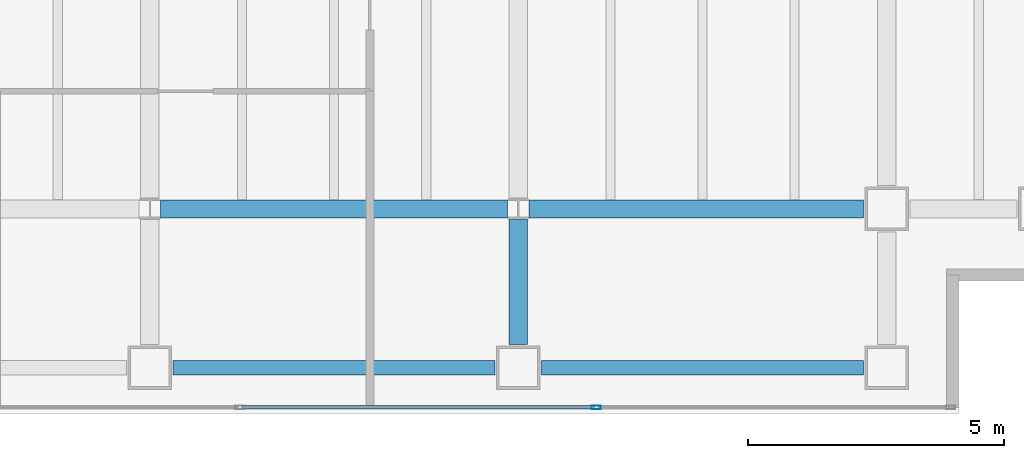
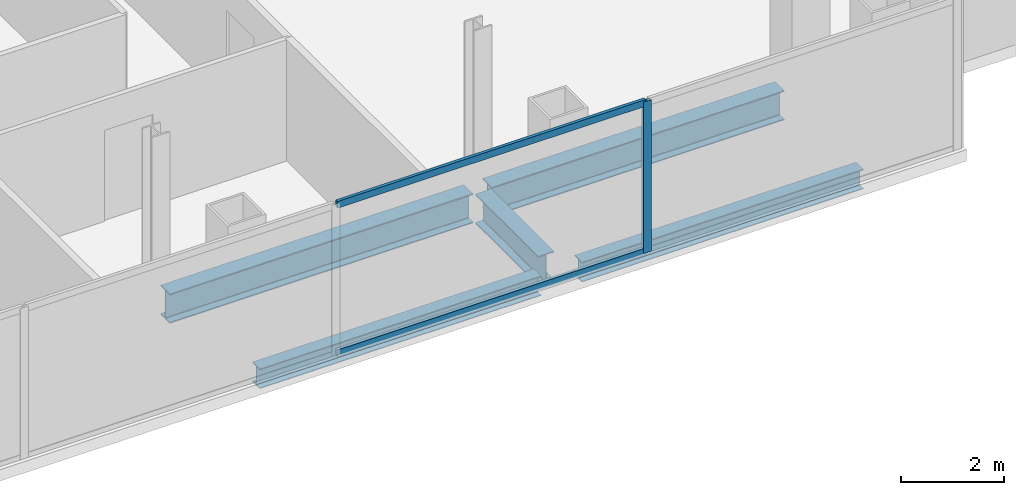
# One storey, part 9 of 23: 5 beams, 3 members, 1 element without a shape of its own.
"""IFC4 building model written with IfcOpenShell, lengths in metres."""

from ifc_helpers import new_model, si_unit, direction, frame, origin, origin_2d, place, context, subcontext, project, spatial, hollow_rectangle, i_section, extrude, material, material_profile, profile_set, type_object, element, aggregate, save


model = new_model("IFC4")

# Units and contexts
model_context = context("Model", 3, precision=1e-05, world=origin(), true_north=direction((0.0, 1.0)))
body_context = subcontext(model_context, "Body", "Model", "MODEL_VIEW")
ifc_project = project(units=[si_unit("LENGTHUNIT", "METRE"), si_unit("AREAUNIT", "SQUARE_METRE"), si_unit("VOLUMEUNIT", "CUBIC_METRE"), si_unit("PLANEANGLEUNIT", "RADIAN"), si_unit("MASSUNIT", "GRAM", prefix="KILO")], contexts=[model_context])

# Site, building, storey
site_placement = place(None, origin())
site = spatial("IfcSite", under=ifc_project, at=site_placement, CompositionType="ELEMENT")
building_placement = place(site_placement, origin())
building = spatial("IfcBuilding", under=site, at=building_placement, Name="Cobrela Telecom Tower", CompositionType="ELEMENT")
storey_placement = place(building_placement, frame((0.0, 0.0, 148.39990234375)))
storey = spatial("IfcBuildingStorey", under=building, at=storey_placement, Name="L37", CompositionType="ELEMENT", Elevation=148.39990234375)

# Beams
ifc_material_1 = material(Name="Steel ASTM A992 Grade 50", Category="steel")
ifc_material_profile_1 = material_profile(ifc_material_1, i_section(OverallWidth=0.35595703125, OverallDepth=0.696044921875, WebThickness=0.015380859375, FlangeThickness=0.024658203125, FilletRadius=0.01806640625, at=origin_2d()), Name="W27X146")
ifc_profile_set_1 = profile_set([ifc_material_profile_1], Name="Steel ASTM A992 Grade 50")
beam_type_1 = type_object("IfcBeamType", Name="BM-GIRD-05", PredefinedType="USERDEFINED", material=ifc_profile_set_1)
beam_1_placement = place(storey_placement, frame((29.009521484375, 7.199951171875, -0.617919921875), z_axis=(1.0, 0.0, 0.0), x_axis=(0.0, 1.0, 0.0)))
element("IfcBeam", 1, at=beam_1_placement, inside=storey, type_object=beam_type_1, Name="L37 Primary Girder X10", ObjectType="GIRDER", PredefinedType="USERDEFINED", context=body_context, shape_type="SweptSolid", body=[
    extrude(i_section(OverallWidth=0.35595703125, OverallDepth=0.696044921875, WebThickness=0.015380859375, FlangeThickness=0.024658203125, FilletRadius=0.01806640625, at=origin_2d()), origin(), (0.0, 0.0, 1.0), 6.781005859375),
])
beam_2_placement = place(storey_placement, frame((36.20947265625, 7.199951171875, -0.617919921875), z_axis=(1.0, 0.0, 0.0), x_axis=(0.0, 1.0, 0.0)))
element("IfcBeam", 2, at=beam_2_placement, inside=storey, type_object=beam_type_1, Name="L37 Primary Girder X11", ObjectType="GIRDER", PredefinedType="USERDEFINED", context=body_context, shape_type="SweptSolid", body=[
    extrude(i_section(OverallWidth=0.35595703125, OverallDepth=0.696044921875, WebThickness=0.015380859375, FlangeThickness=0.024658203125, FilletRadius=0.01806640625, at=origin_2d()), origin(), (0.0, 0.0, 1.0), 6.53564453125),
])
beam_3_placement = place(storey_placement, frame((36.0, 4.554931640625, -0.617919921875), z_axis=(0.0, 1.0, 0.0), x_axis=(-1.0, 0.0, 0.0)))
element("IfcBeam", 3, at=beam_3_placement, inside=storey, type_object=beam_type_1, Name="L37 Primary Girder Y49", ObjectType="GIRDER", PredefinedType="USERDEFINED", context=body_context, shape_type="SweptSolid", body=[
    extrude(i_section(OverallWidth=0.35595703125, OverallDepth=0.696044921875, WebThickness=0.015380859375, FlangeThickness=0.024658203125, FilletRadius=0.01806640625, at=origin_2d()), origin(), (0.0, 0.0, 1.0), 2.435546875),
])
ifc_material_profile_2 = material_profile(ifc_material_1, i_section(OverallWidth=0.281982421875, OverallDepth=0.467041015625, WebThickness=0.01220703125, FlangeThickness=0.01953125, FilletRadius=0.012939453125, at=origin_2d()), Name="W18X86")
ifc_profile_set_2 = profile_set([ifc_material_profile_2], Name="Steel ASTM A992 Grade 50")
beam_type_2 = type_object("IfcBeamType", Name="BM-SPAND-04", PredefinedType="SPANDREL", material=ifc_profile_set_2)
for number, where, z_axis, x_axis, name in (
    (4, (29.2548828125, 4.10009765625, -0.50341796875), (1.0, 0.0, 0.0), (0.0, 1.0, 0.0), "L37 Perimeter Spandrel X04"),
    (5, (36.455078125, 4.10009765625, -0.50341796875), (1.0, 0.0, 0.0), (0.0, 1.0, 0.0), "L37 Perimeter Spandrel X05"),
):
    element("IfcBeam", number, at=place(storey_placement, frame(where, z_axis=z_axis, x_axis=x_axis)), inside=storey, type_object=beam_type_2, Name=name, PredefinedType="SPANDREL", context=body_context, shape_type="SweptSolid", body=[
        extrude(i_section(OverallWidth=0.281982421875, OverallDepth=0.467041015625, WebThickness=0.01220703125, FlangeThickness=0.01953125, FilletRadius=0.012939453125, at=origin_2d()), origin(), (0.0, 0.0, 1.0), 6.2900390625),
    ])

# Curtain wall, members
ifc_material_2 = material(Name="Anodized Bronze Aluminium 6063-T6", Category="aluminium")
curtain_wall_type = type_object("IfcCurtainWallType", Name="CW-SYS-TEL", PredefinedType="USERDEFINED", material=ifc_material_2)
curtain_wall_placement = place(storey_placement, origin())
curtain_wall = element("IfcCurtainWall", 6, at=curtain_wall_placement, inside=storey, type_object=curtain_wall_type, Name="L37 Unitised Bronze Curtain Wall 17", ObjectType="UNITISED CURTAIN WALL", PredefinedType="USERDEFINED")
ifc_material_profile_3 = material_profile(ifc_material_2, hollow_rectangle(XDim=0.074951171875, YDim=0.179931640625, WallThickness=0.00390625, at=origin_2d()), Name="ALU 75x180x4")
ifc_profile_set_3 = profile_set([ifc_material_profile_3], Name="Anodized Bronze Aluminium 6063-T6")
member_type_1 = type_object("IfcMemberType", Name="CW-SYS-TEL-MUL", PredefinedType="MULLION", material=ifc_profile_set_3)
member_1_placement = place(storey_placement, frame((37.526611328125, 3.320068359375, 0.0), z_axis=(0.0, 0.0, 1.0), x_axis=(0.0, -1.0, 0.0)))
member_1 = element("IfcMember", 7, at=member_1_placement, type_object=member_type_1, Name="CW-TEL mullion 2", PredefinedType="MULLION", context=body_context, shape_type="SweptSolid", body=[
    extrude(hollow_rectangle(XDim=0.074951171875, YDim=0.179931640625, WallThickness=0.00390625, at=origin_2d()), origin(), (0.0, 0.0, 1.0), 3.580078125),
])
ifc_material_profile_4 = material_profile(ifc_material_2, hollow_rectangle(XDim=0.070068359375, YDim=0.159912109375, WallThickness=0.00390625, at=origin_2d()), Name="ALU 70x160x4")
ifc_profile_set_4 = profile_set([ifc_material_profile_4], Name="Anodized Bronze Aluminium 6063-T6")
member_type_2 = type_object("IfcMemberType", Name="CW-SYS-TEL-TRN", PredefinedType="USERDEFINED", material=ifc_profile_set_4)
member_2_placement = place(storey_placement, frame((37.4892578125, 3.320068359375, 0.03515625), z_axis=(-1.0, 0.0, 0.0), x_axis=(0.0, -1.0, 0.0)))
member_2 = element("IfcMember", 8, at=member_2_placement, type_object=member_type_2, Name="CW-TEL transom 2.1", ObjectType="TRANSOM", PredefinedType="USERDEFINED", context=body_context, shape_type="SweptSolid", body=[
    extrude(hollow_rectangle(XDim=0.070068359375, YDim=0.159912109375, WallThickness=0.00390625, at=origin_2d()), origin(), (0.0, 0.0, 1.0), 6.888427734375),
])
member_3_placement = place(storey_placement, frame((37.4892578125, 3.320068359375, 3.545166015625), z_axis=(-1.0, 0.0, 0.0), x_axis=(0.0, -1.0, 0.0)))
member_3 = element("IfcMember", 9, at=member_3_placement, type_object=member_type_2, Name="CW-TEL transom 2.2", ObjectType="TRANSOM", PredefinedType="USERDEFINED", context=body_context, shape_type="SweptSolid", body=[
    extrude(hollow_rectangle(XDim=0.070068359375, YDim=0.159912109375, WallThickness=0.00390625, at=origin_2d()), origin(), (0.0, 0.0, 1.0), 6.888427734375),
])
aggregate(curtain_wall, [member_1, member_2, member_3])

save(model, "model.ifc")
